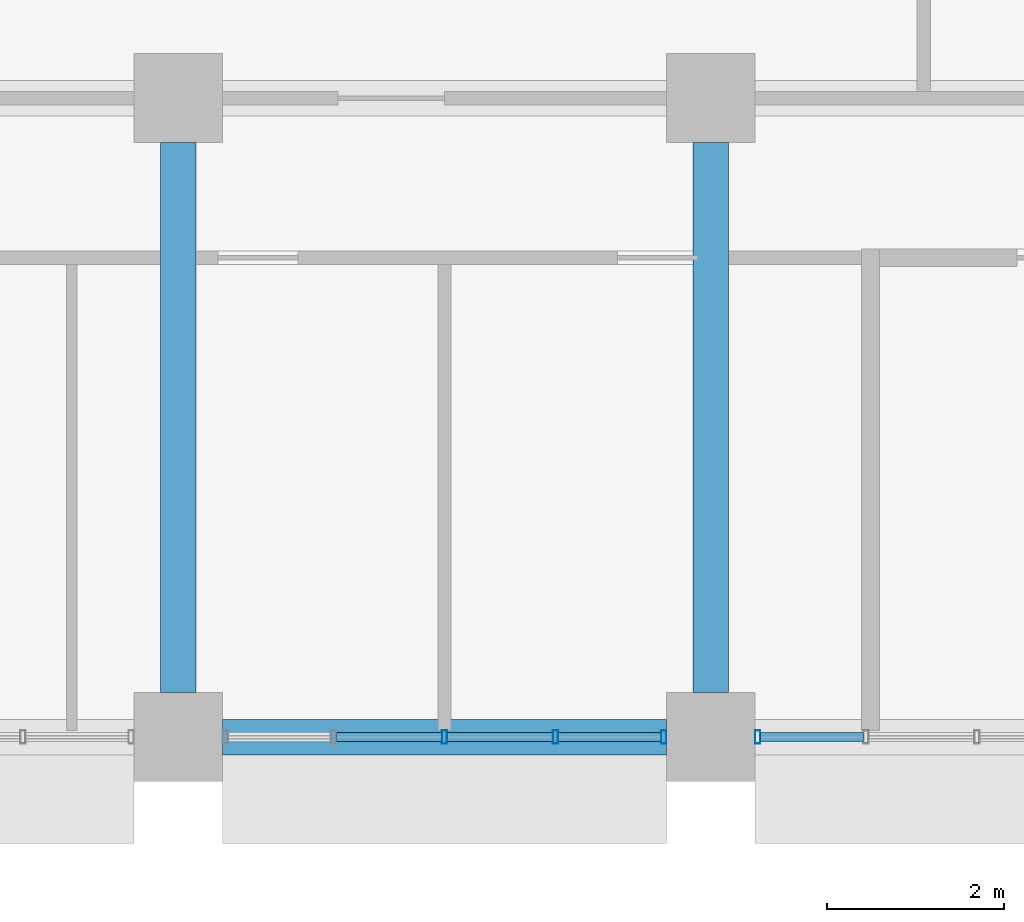
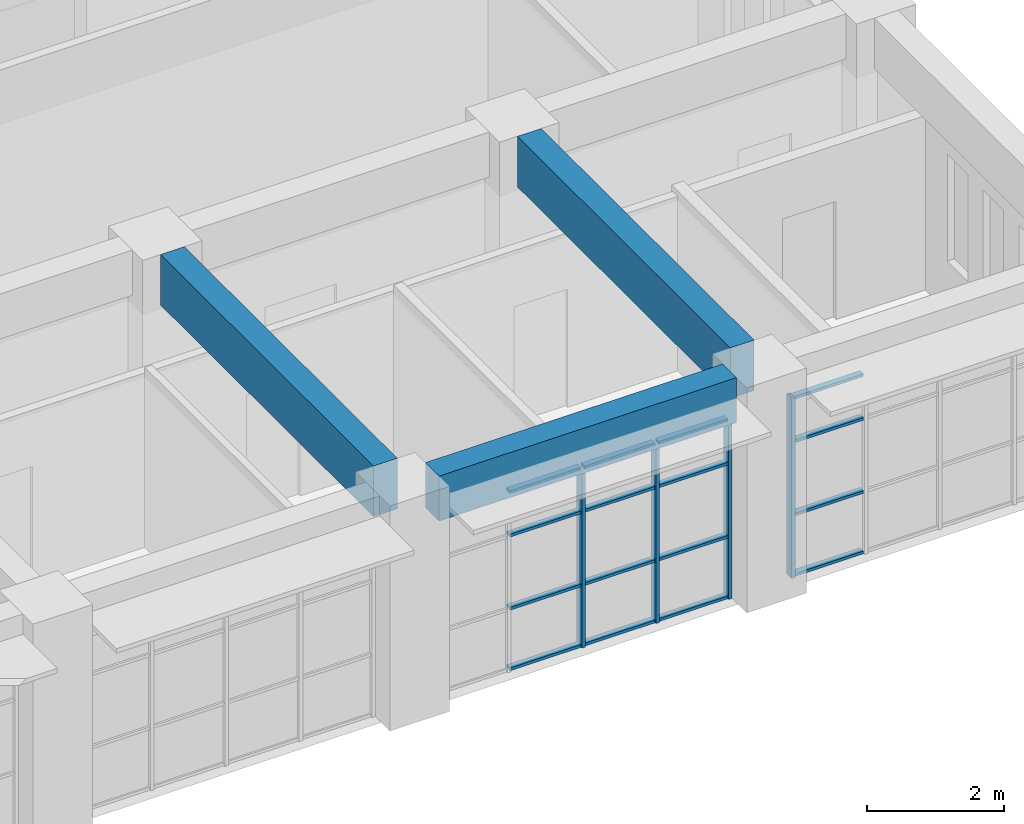
# One storey, part 37 of 92: 20 members, 3 beams, 2 elements without a shape of their own.
"""IFC4 building model written with IfcOpenShell, lengths in metres."""

from ifc_helpers import new_model, si_unit, direction, frame, origin, origin_2d, place, context, subcontext, project, spatial, rectangle, hollow_rectangle, extrude, material, material_profile, profile_set, type_object, element, aggregate, save


model = new_model("IFC4")

# Units and contexts
model_context = context("Model", 3, precision=1e-05, world=origin(), true_north=direction((0.0, 1.0)))
body_context = subcontext(model_context, "Body", "Model", "MODEL_VIEW")
ifc_project = project(units=[si_unit("LENGTHUNIT", "METRE"), si_unit("AREAUNIT", "SQUARE_METRE"), si_unit("VOLUMEUNIT", "CUBIC_METRE"), si_unit("PLANEANGLEUNIT", "RADIAN"), si_unit("MASSUNIT", "GRAM", prefix="KILO")], contexts=[model_context])

# Site, building, storey
site_placement = place(None, origin())
site = spatial("IfcSite", under=ifc_project, at=site_placement, CompositionType="ELEMENT")
building_placement = place(site_placement, origin())
building = spatial("IfcBuilding", under=site, at=building_placement, Name="Laocheng Heights Fire and Rescue Headquarters", CompositionType="ELEMENT")
storey_placement = place(building_placement, frame((0.0, 0.0, 12.60009765625)))
storey = spatial("IfcBuildingStorey", under=building, at=storey_placement, Name="L03", CompositionType="ELEMENT", Elevation=12.60009765625)

# Curtain wall, members
ifc_material_1 = material(Name="Dark anodised aluminium unitised curtain wall, low-e double glazing", Category="aluminium")
curtain_wall_type = type_object("IfcCurtainWallType", Name="CW 5000 x 3200 HQ SOUTH RIBBON", PredefinedType="NOTDEFINED", material=ifc_material_1)
curtain_wall_1_placement = place(storey_placement, origin())
curtain_wall_1 = element("IfcCurtainWall", 1, at=curtain_wall_1_placement, inside=storey, type_object=curtain_wall_type, Name="X10-X HQ SOUTH L03", PredefinedType="NOTDEFINED")
ifc_material_2 = material(Name="Dark anodised aluminium 6063-T5 extrusion", Category="aluminium")
ifc_material_profile_1 = material_profile(ifc_material_2, hollow_rectangle(XDim=0.14990234375, YDim=0.06005859375, WallThickness=0.0029296875, at=origin_2d()), Name="AL MULLION 150x60x3 HQ SOUTH RIBBON")
ifc_profile_set_1 = profile_set([ifc_material_profile_1], Name="Dark anodised aluminium 6063-T5 extrusion")
member_type_1 = type_object("IfcMemberType", Name="AL MULLION 150x60x3 HQ SOUTH RIBBON", PredefinedType="MULLION", material=ifc_profile_set_1)
member_1_placement = place(storey_placement, frame((75.0, 50.39990234375, 0.0), z_axis=(0.0, 0.0, 1.0), x_axis=(0.0, 1.0, 0.0)))
member_1 = element("IfcMember", 2, at=member_1_placement, type_object=member_type_1, Name="X10-X mullion 3", PredefinedType="MULLION", context=body_context, shape_type="SweptSolid", body=[
    extrude(hollow_rectangle(XDim=0.14990234375, YDim=0.06005859375, WallThickness=0.0029296875, at=origin_2d()), origin(), (0.0, 0.0, 1.0), 3.199951171875),
])
member_2_placement = place(storey_placement, frame((76.25, 50.39990234375, 0.0), z_axis=(0.0, 0.0, 1.0), x_axis=(0.0, 1.0, 0.0)))
member_2 = element("IfcMember", 3, at=member_2_placement, type_object=member_type_1, Name="X10-X mullion 4", PredefinedType="MULLION", context=body_context, shape_type="SweptSolid", body=[
    extrude(hollow_rectangle(XDim=0.14990234375, YDim=0.06005859375, WallThickness=0.0029296875, at=origin_2d()), origin(), (0.0, 0.0, 1.0), 3.199951171875),
])
member_3_placement = place(storey_placement, frame((77.469970703125, 50.39990234375, 0.0), z_axis=(0.0, 0.0, 1.0), x_axis=(0.0, 1.0, 0.0)))
member_3 = element("IfcMember", 4, at=member_3_placement, type_object=member_type_1, Name="X10-X mullion 5", PredefinedType="MULLION", context=body_context, shape_type="SweptSolid", body=[
    extrude(hollow_rectangle(XDim=0.14990234375, YDim=0.06005859375, WallThickness=0.0029296875, at=origin_2d()), origin(), (0.0, 0.0, 1.0), 3.199951171875),
])

# Curtain wall, member
curtain_wall_2_placement = place(storey_placement, origin())
curtain_wall_2 = element("IfcCurtainWall", 5, at=curtain_wall_2_placement, inside=storey, type_object=curtain_wall_type, Name="X10-X HQ SOUTH L03", PredefinedType="NOTDEFINED")
member_4_placement = place(storey_placement, frame((78.530029296875, 50.39990234375, 0.0), z_axis=(0.0, 0.0, 1.0), x_axis=(0.0, 1.0, 0.0)))
member_4 = element("IfcMember", 6, at=member_4_placement, type_object=member_type_1, Name="X10-X mullion 1", PredefinedType="MULLION", context=body_context, shape_type="SweptSolid", body=[
    extrude(hollow_rectangle(XDim=0.14990234375, YDim=0.06005859375, WallThickness=0.0029296875, at=origin_2d()), origin(), (0.0, 0.0, 1.0), 3.199951171875),
])

# Member
ifc_material_3 = material(Name="Dark anodised aluminium 6063-T5 extrusion", Category="aluminium")
ifc_material_profile_2 = material_profile(ifc_material_3, hollow_rectangle(XDim=0.10009765625, YDim=0.050048828125, WallThickness=0.0029296875, at=origin_2d()), Name="AL TRANSOM 100x50x3 HQ SOUTH RIBBON")
ifc_profile_set_2 = profile_set([ifc_material_profile_2], Name="Dark anodised aluminium 6063-T5 extrusion")
member_type_2 = type_object("IfcMemberType", Name="AL TRANSOM 100x50x3 HQ SOUTH RIBBON", PredefinedType="USERDEFINED", material=ifc_profile_set_2)
member_5_placement = place(storey_placement, frame((73.780029296875, 50.39990234375, 0.02490234375), z_axis=(1.0, 0.0, 0.0), x_axis=(0.0, 1.0, 0.0)))
member_5 = element("IfcMember", 7, at=member_5_placement, type_object=member_type_2, Name="X10-X transom 2.1", ObjectType="TRANSOM", PredefinedType="USERDEFINED", context=body_context, shape_type="SweptSolid", body=[
    extrude(hollow_rectangle(XDim=0.10009765625, YDim=0.050048828125, WallThickness=0.0029296875, at=origin_2d()), origin(), (0.0, 0.0, 1.0), 1.18994140625),
])

member_6_placement = place(storey_placement, frame((73.780029296875, 50.39990234375, 1.099853515625), z_axis=(1.0, 0.0, 0.0), x_axis=(0.0, 1.0, 0.0)))
member_6 = element("IfcMember", 8, at=member_6_placement, type_object=member_type_2, Name="X10-X transom 2.2", ObjectType="TRANSOM", PredefinedType="USERDEFINED", context=body_context, shape_type="SweptSolid", body=[
    extrude(hollow_rectangle(XDim=0.10009765625, YDim=0.050048828125, WallThickness=0.0029296875, at=origin_2d()), origin(), (0.0, 0.0, 1.0), 1.18994140625),
])

member_7_placement = place(storey_placement, frame((73.780029296875, 50.39990234375, 2.39990234375), z_axis=(1.0, 0.0, 0.0), x_axis=(0.0, 1.0, 0.0)))
member_7 = element("IfcMember", 9, at=member_7_placement, type_object=member_type_2, Name="X10-X transom 2.3", ObjectType="TRANSOM", PredefinedType="USERDEFINED", context=body_context, shape_type="SweptSolid", body=[
    extrude(hollow_rectangle(XDim=0.10009765625, YDim=0.050048828125, WallThickness=0.0029296875, at=origin_2d()), origin(), (0.0, 0.0, 1.0), 1.18994140625),
])

member_8_placement = place(storey_placement, frame((73.780029296875, 50.39990234375, 3.1748046875), z_axis=(1.0, 0.0, 0.0), x_axis=(0.0, 1.0, 0.0)))
member_8 = element("IfcMember", 10, at=member_8_placement, type_object=member_type_2, Name="X10-X transom 2.4", ObjectType="TRANSOM", PredefinedType="USERDEFINED", context=body_context, shape_type="SweptSolid", body=[
    extrude(hollow_rectangle(XDim=0.10009765625, YDim=0.050048828125, WallThickness=0.0029296875, at=origin_2d()), origin(), (0.0, 0.0, 1.0), 1.18994140625),
])

member_9_placement = place(storey_placement, frame((75.030029296875, 50.39990234375, 0.02490234375), z_axis=(1.0, 0.0, 0.0), x_axis=(0.0, 1.0, 0.0)))
member_9 = element("IfcMember", 11, at=member_9_placement, type_object=member_type_2, Name="X10-X transom 3.1", ObjectType="TRANSOM", PredefinedType="USERDEFINED", context=body_context, shape_type="SweptSolid", body=[
    extrude(hollow_rectangle(XDim=0.10009765625, YDim=0.050048828125, WallThickness=0.0029296875, at=origin_2d()), origin(), (0.0, 0.0, 1.0), 1.18994140625),
])

member_10_placement = place(storey_placement, frame((75.030029296875, 50.39990234375, 1.099853515625), z_axis=(1.0, 0.0, 0.0), x_axis=(0.0, 1.0, 0.0)))
member_10 = element("IfcMember", 12, at=member_10_placement, type_object=member_type_2, Name="X10-X transom 3.2", ObjectType="TRANSOM", PredefinedType="USERDEFINED", context=body_context, shape_type="SweptSolid", body=[
    extrude(hollow_rectangle(XDim=0.10009765625, YDim=0.050048828125, WallThickness=0.0029296875, at=origin_2d()), origin(), (0.0, 0.0, 1.0), 1.18994140625),
])

member_11_placement = place(storey_placement, frame((75.030029296875, 50.39990234375, 2.39990234375), z_axis=(1.0, 0.0, 0.0), x_axis=(0.0, 1.0, 0.0)))
member_11 = element("IfcMember", 13, at=member_11_placement, type_object=member_type_2, Name="X10-X transom 3.3", ObjectType="TRANSOM", PredefinedType="USERDEFINED", context=body_context, shape_type="SweptSolid", body=[
    extrude(hollow_rectangle(XDim=0.10009765625, YDim=0.050048828125, WallThickness=0.0029296875, at=origin_2d()), origin(), (0.0, 0.0, 1.0), 1.18994140625),
])

member_12_placement = place(storey_placement, frame((75.030029296875, 50.39990234375, 3.1748046875), z_axis=(1.0, 0.0, 0.0), x_axis=(0.0, 1.0, 0.0)))
member_12 = element("IfcMember", 14, at=member_12_placement, type_object=member_type_2, Name="X10-X transom 3.4", ObjectType="TRANSOM", PredefinedType="USERDEFINED", context=body_context, shape_type="SweptSolid", body=[
    extrude(hollow_rectangle(XDim=0.10009765625, YDim=0.050048828125, WallThickness=0.0029296875, at=origin_2d()), origin(), (0.0, 0.0, 1.0), 1.18994140625),
])

member_13_placement = place(storey_placement, frame((76.280029296875, 50.39990234375, 0.02490234375), z_axis=(1.0, 0.0, 0.0), x_axis=(0.0, 1.0, 0.0)))
member_13 = element("IfcMember", 15, at=member_13_placement, type_object=member_type_2, Name="X10-X transom 4.1", ObjectType="TRANSOM", PredefinedType="USERDEFINED", context=body_context, shape_type="SweptSolid", body=[
    extrude(hollow_rectangle(XDim=0.10009765625, YDim=0.050048828125, WallThickness=0.0029296875, at=origin_2d()), origin(), (0.0, 0.0, 1.0), 1.159912109375),
])

member_14_placement = place(storey_placement, frame((76.280029296875, 50.39990234375, 1.099853515625), z_axis=(1.0, 0.0, 0.0), x_axis=(0.0, 1.0, 0.0)))
member_14 = element("IfcMember", 16, at=member_14_placement, type_object=member_type_2, Name="X10-X transom 4.2", ObjectType="TRANSOM", PredefinedType="USERDEFINED", context=body_context, shape_type="SweptSolid", body=[
    extrude(hollow_rectangle(XDim=0.10009765625, YDim=0.050048828125, WallThickness=0.0029296875, at=origin_2d()), origin(), (0.0, 0.0, 1.0), 1.159912109375),
])

member_15_placement = place(storey_placement, frame((76.280029296875, 50.39990234375, 2.39990234375), z_axis=(1.0, 0.0, 0.0), x_axis=(0.0, 1.0, 0.0)))
member_15 = element("IfcMember", 17, at=member_15_placement, type_object=member_type_2, Name="X10-X transom 4.3", ObjectType="TRANSOM", PredefinedType="USERDEFINED", context=body_context, shape_type="SweptSolid", body=[
    extrude(hollow_rectangle(XDim=0.10009765625, YDim=0.050048828125, WallThickness=0.0029296875, at=origin_2d()), origin(), (0.0, 0.0, 1.0), 1.159912109375),
])

member_16_placement = place(storey_placement, frame((76.280029296875, 50.39990234375, 3.1748046875), z_axis=(1.0, 0.0, 0.0), x_axis=(0.0, 1.0, 0.0)))
member_16 = element("IfcMember", 18, at=member_16_placement, type_object=member_type_2, Name="X10-X transom 4.4", ObjectType="TRANSOM", PredefinedType="USERDEFINED", context=body_context, shape_type="SweptSolid", body=[
    extrude(hollow_rectangle(XDim=0.10009765625, YDim=0.050048828125, WallThickness=0.0029296875, at=origin_2d()), origin(), (0.0, 0.0, 1.0), 1.159912109375),
])

aggregate(curtain_wall_1, [member_1, member_2, member_3, member_5, member_6, member_7, member_8, member_9, member_10, member_11, member_12, member_13, member_14, member_15, member_16])

member_17_placement = place(storey_placement, frame((78.56005859375, 50.39990234375, 0.02490234375), z_axis=(1.0, 0.0, 0.0), x_axis=(0.0, 1.0, 0.0)))
member_17 = element("IfcMember", 19, at=member_17_placement, type_object=member_type_2, Name="X10-X transom 1.1", ObjectType="TRANSOM", PredefinedType="USERDEFINED", context=body_context, shape_type="SweptSolid", body=[
    extrude(hollow_rectangle(XDim=0.10009765625, YDim=0.050048828125, WallThickness=0.0029296875, at=origin_2d()), origin(), (0.0, 0.0, 1.0), 1.159912109375),
])

member_18_placement = place(storey_placement, frame((78.56005859375, 50.39990234375, 1.099853515625), z_axis=(1.0, 0.0, 0.0), x_axis=(0.0, 1.0, 0.0)))
member_18 = element("IfcMember", 20, at=member_18_placement, type_object=member_type_2, Name="X10-X transom 1.2", ObjectType="TRANSOM", PredefinedType="USERDEFINED", context=body_context, shape_type="SweptSolid", body=[
    extrude(hollow_rectangle(XDim=0.10009765625, YDim=0.050048828125, WallThickness=0.0029296875, at=origin_2d()), origin(), (0.0, 0.0, 1.0), 1.159912109375),
])

member_19_placement = place(storey_placement, frame((78.56005859375, 50.39990234375, 2.39990234375), z_axis=(1.0, 0.0, 0.0), x_axis=(0.0, 1.0, 0.0)))
member_19 = element("IfcMember", 21, at=member_19_placement, type_object=member_type_2, Name="X10-X transom 1.3", ObjectType="TRANSOM", PredefinedType="USERDEFINED", context=body_context, shape_type="SweptSolid", body=[
    extrude(hollow_rectangle(XDim=0.10009765625, YDim=0.050048828125, WallThickness=0.0029296875, at=origin_2d()), origin(), (0.0, 0.0, 1.0), 1.159912109375),
])

member_20_placement = place(storey_placement, frame((78.56005859375, 50.39990234375, 3.1748046875), z_axis=(1.0, 0.0, 0.0), x_axis=(0.0, 1.0, 0.0)))
member_20 = element("IfcMember", 22, at=member_20_placement, type_object=member_type_2, Name="X10-X transom 1.4", ObjectType="TRANSOM", PredefinedType="USERDEFINED", context=body_context, shape_type="SweptSolid", body=[
    extrude(hollow_rectangle(XDim=0.10009765625, YDim=0.050048828125, WallThickness=0.0029296875, at=origin_2d()), origin(), (0.0, 0.0, 1.0), 1.159912109375),
])

aggregate(curtain_wall_2, [member_4, member_17, member_18, member_19, member_20])

# Beams
ifc_material_4 = material(Name="Concrete C40", Category="concrete")
ifc_material_profile_3 = material_profile(ifc_material_4, rectangle(XDim=0.39990234375, YDim=0.800048828125, at=origin_2d()), Name="RC BEAM 400x800 HQ")
ifc_profile_set_3 = profile_set([ifc_material_profile_3], Name="Concrete C40")
beam_type_1 = type_object("IfcBeamType", Name="RC BEAM 400x800 HQ", PredefinedType="BEAM", material=ifc_profile_set_3)
beam_placement = place(storey_placement, frame((72.5, 50.39990234375, 3.599853515625), z_axis=(1.0, 0.0, 0.0), x_axis=(0.0, 1.0, 0.0)))
element("IfcBeam", 23, at=beam_placement, inside=storey, type_object=beam_type_1, Name="HQ beam L03", PredefinedType="BEAM", context=body_context, shape_type="SweptSolid", body=[
    extrude(rectangle(XDim=0.39990234375, YDim=0.800048828125, at=origin_2d()), origin(), (0.0, 0.0, 1.0), 5.0),
])
ifc_material_5 = material(Name="Concrete C40", Category="concrete")
ifc_material_profile_4 = material_profile(ifc_material_5, rectangle(XDim=0.39990234375, YDim=0.89990234375, at=origin_2d()), Name="RC BEAM 400x900 HQ")
ifc_profile_set_4 = profile_set([ifc_material_profile_4], Name="Concrete C40")
beam_type_2 = type_object("IfcBeamType", Name="RC BEAM 400x900 HQ", PredefinedType="BEAM", material=ifc_profile_set_4)
for number, where, z_axis, x_axis, name in (
    (24, (72.0, 50.89990234375, 3.5498046875), (0.0, 1.0, 0.0), (-1.0, 0.0, 0.0), "HQ beam L03"),
    (25, (78.0, 50.89990234375, 3.5498046875), (0.0, 1.0, 0.0), (-1.0, 0.0, 0.0), "HQ beam L03"),
):
    element("IfcBeam", number, at=place(storey_placement, frame(where, z_axis=z_axis, x_axis=x_axis)), inside=storey, type_object=beam_type_2, Name=name, PredefinedType="BEAM", context=body_context, shape_type="SweptSolid", body=[
        extrude(rectangle(XDim=0.39990234375, YDim=0.89990234375, at=origin_2d()), origin(), (0.0, 0.0, 1.0), 6.2001953125),
    ])

save(model, "model.ifc")
